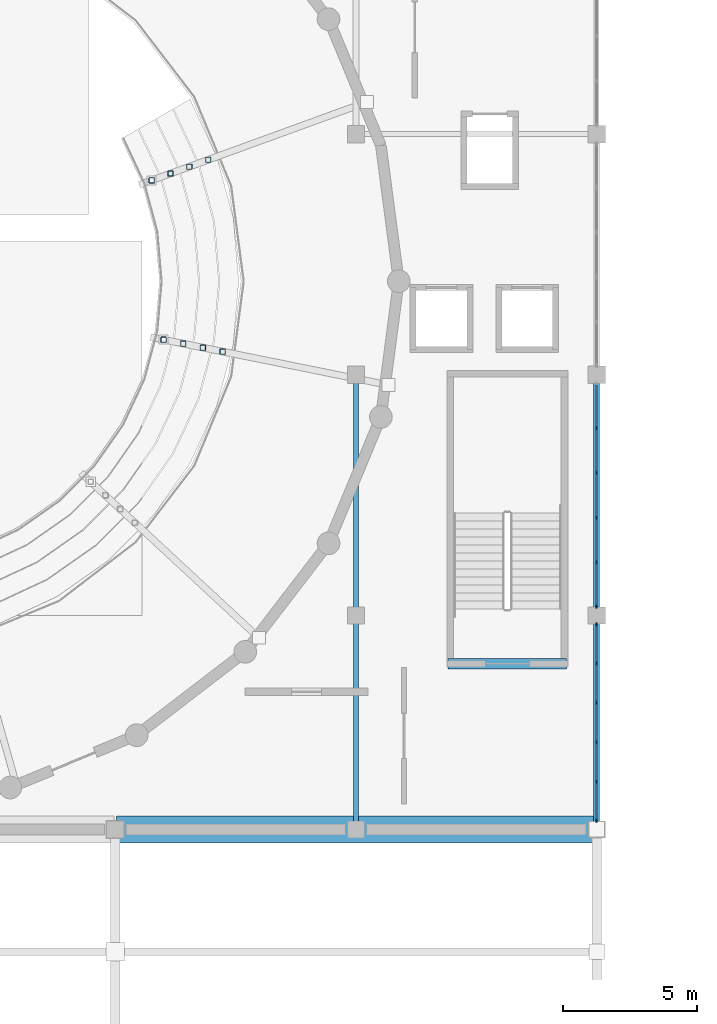
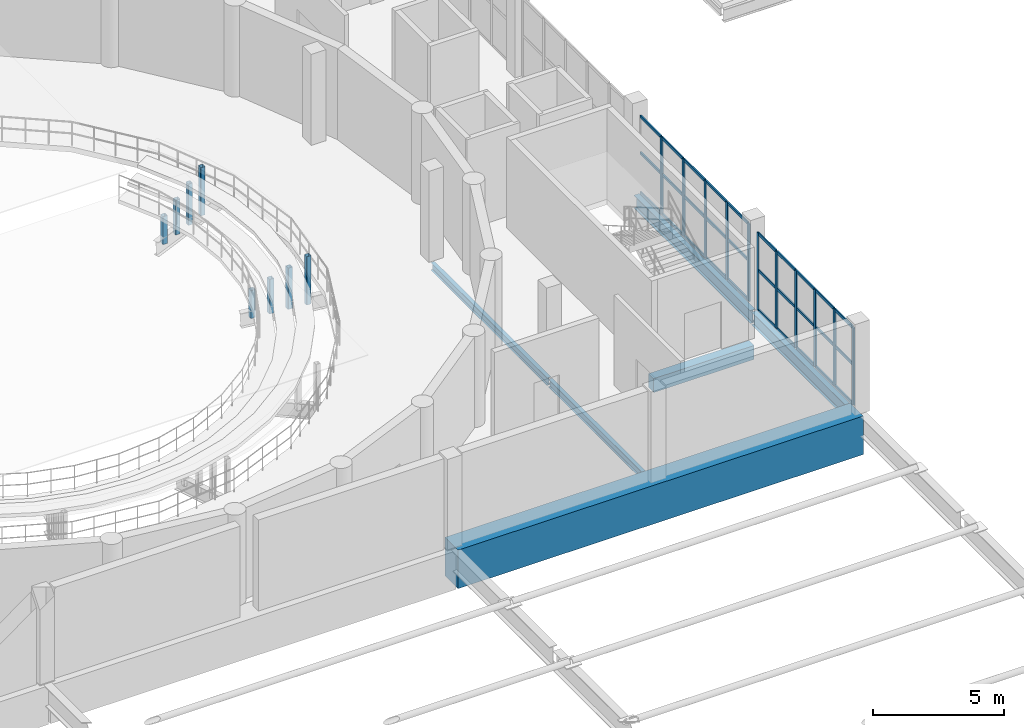
# One storey, part 20 of 54: 49 members, 6 beams, 2 elements without a shape of their own.
"""IFC4 building model written with IfcOpenShell, lengths in metres."""

from ifc_helpers import new_model, si_unit, direction, frame, origin, origin_2d, place, context, subcontext, project, spatial, rectangle, hollow_rectangle, i_section, extrude, material, layer, layer_set, material_profile, profile_set, type_object, element, aggregate, save


model = new_model("IFC4")

# Units and contexts
model_context = context("Model", 3, precision=1e-05, world=origin(), true_north=direction((0.0, 1.0)))
body_context = subcontext(model_context, "Body", "Model", "MODEL_VIEW")
ifc_project = project(units=[si_unit("LENGTHUNIT", "METRE"), si_unit("AREAUNIT", "SQUARE_METRE"), si_unit("VOLUMEUNIT", "CUBIC_METRE"), si_unit("PLANEANGLEUNIT", "RADIAN"), si_unit("MASSUNIT", "GRAM", prefix="KILO")], contexts=[model_context])

# Site, building, storey
site_placement = place(None, origin())
site = spatial("IfcSite", under=ifc_project, at=site_placement, CompositionType="ELEMENT")
building_placement = place(site_placement, origin())
building = spatial("IfcBuilding", under=site, at=building_placement, Name="Marnock Terrace Opera House", CompositionType="ELEMENT")
storey_placement = place(building_placement, frame((0.0, 0.0, 19.199951171875)))
storey = spatial("IfcBuildingStorey", under=building, at=storey_placement, Name="L04", CompositionType="ELEMENT", Elevation=19.199951171875)

# Beams
ifc_material_1 = material(Name="Steel Grade 350 (AS/NZS 3679.1)", Category="steel")
ifc_material_profile_1 = material_profile(ifc_material_1, i_section(OverallWidth=0.1708984375, OverallDepth=0.355712890625, WebThickness=0.00732421875, FlangeThickness=0.011474609375, FilletRadius=0.011474609375, at=origin_2d()))
ifc_profile_set_1 = profile_set([ifc_material_profile_1], Name="Steel Grade 350 (AS/NZS 3679.1)")
beam_type_1 = type_object("IfcBeamType", Name="BM-GIRD-360", PredefinedType="BEAM", material=ifc_profile_set_1)
beam_1_placement = place(storey_placement, frame((100.0, 40.050048828125, -0.427734375), z_axis=(0.0, 1.0, 0.0), x_axis=(-1.0, 0.0, 0.0)))
element("IfcBeam", 1, at=beam_1_placement, inside=storey, type_object=beam_type_1, Name="L04 girder (X=100.0, 40.0..48.0)", PredefinedType="BEAM", context=body_context, shape_type="SweptSolid", body=[
    extrude(i_section(OverallWidth=0.1708984375, OverallDepth=0.355712890625, WebThickness=0.00732421875, FlangeThickness=0.011474609375, FilletRadius=0.011474609375, at=origin_2d()), origin(), (0.0, 0.0, 1.0), 7.89990234375),
])
beam_2_placement = place(storey_placement, frame((100.0, 48.050048828125, -0.427734375), z_axis=(0.0, 1.0, 0.0), x_axis=(-1.0, 0.0, 0.0)))
element("IfcBeam", 2, at=beam_2_placement, inside=storey, type_object=beam_type_1, Name="L04 girder (X=100.0, 48.0..57.0)", PredefinedType="BEAM", context=body_context, shape_type="SweptSolid", body=[
    extrude(i_section(OverallWidth=0.1708984375, OverallDepth=0.355712890625, WebThickness=0.00732421875, FlangeThickness=0.011474609375, FilletRadius=0.011474609375, at=origin_2d()), origin(), (0.0, 0.0, 1.0), 8.89990234375),
])
ifc_material_profile_2 = material_profile(ifc_material_1, i_section(OverallWidth=0.22802734375, OverallDepth=0.60205078125, WebThickness=0.010498046875, FlangeThickness=0.014892578125, FilletRadius=0.013916015625, at=origin_2d()))
ifc_profile_set_2 = profile_set([ifc_material_profile_2], Name="Steel Grade 350 (AS/NZS 3679.1)")
beam_type_2 = type_object("IfcBeamType", Name="BM-GIRD-610C", PredefinedType="BEAM", material=ifc_profile_set_2)
beam_3_placement = place(storey_placement, frame((109.0, 40.050048828125, -0.551025390625), z_axis=(0.0, 1.0, 0.0), x_axis=(-1.0, 0.0, 0.0)))
element("IfcBeam", 3, at=beam_3_placement, inside=storey, type_object=beam_type_2, Name="L04 girder (X=109.0, 40.0..48.0)", PredefinedType="BEAM", context=body_context, shape_type="SweptSolid", body=[
    extrude(i_section(OverallWidth=0.22802734375, OverallDepth=0.60205078125, WebThickness=0.010498046875, FlangeThickness=0.014892578125, FilletRadius=0.013916015625, at=origin_2d()), origin(), (0.0, 0.0, 1.0), 7.89990234375),
])
beam_4_placement = place(storey_placement, frame((109.0, 48.050048828125, -0.551025390625), z_axis=(0.0, 1.0, 0.0), x_axis=(-1.0, 0.0, 0.0)))
element("IfcBeam", 4, at=beam_4_placement, inside=storey, type_object=beam_type_2, Name="L04 girder (X=109.0, 48.0..57.0)", PredefinedType="BEAM", context=body_context, shape_type="SweptSolid", body=[
    extrude(i_section(OverallWidth=0.22802734375, OverallDepth=0.60205078125, WebThickness=0.010498046875, FlangeThickness=0.014892578125, FilletRadius=0.013916015625, at=origin_2d()), origin(), (0.0, 0.0, 1.0), 8.89990234375),
])
ifc_material_2 = material(Name="Concrete N40 (f'c = 40 MPa)", Category="concrete")
ifc_material_profile_3 = material_profile(ifc_material_2, rectangle(XDim=0.39990234375, YDim=0.64990234375, at=origin_2d()))
ifc_profile_set_3 = profile_set([ifc_material_profile_3], Name="Concrete N40 (f'c = 40 MPa)")
beam_type_3 = type_object("IfcBeamType", Name="BM-LINT-RC400", PredefinedType="LINTEL", material=ifc_profile_set_3)
beam_5_placement = place(storey_placement, frame((103.43994140625, 46.199951171875, -0.599853515625), z_axis=(1.0, 0.0, 0.0), x_axis=(0.0, 1.0, 0.0)))
element("IfcBeam", 5, at=beam_5_placement, inside=storey, type_object=beam_type_3, Name="L03 Core C2 coupling lintel", PredefinedType="LINTEL", context=body_context, shape_type="SweptSolid", body=[
    extrude(rectangle(XDim=0.39990234375, YDim=0.64990234375, at=origin_2d()), origin(), (0.0, 0.0, 1.0), 4.43994140625),
])
ifc_material_3 = material(Name="Concrete N50 (f'c = 50 MPa)", Category="concrete")
ifc_material_profile_4 = material_profile(ifc_material_3, rectangle(XDim=1.0, YDim=1.800048828125, at=origin_2d()))
ifc_profile_set_4 = profile_set([ifc_material_profile_4], Name="Concrete N50 (f'c = 50 MPa)")
beam_type_4 = type_object("IfcBeamType", Name="BM-XFER-RC1000", PredefinedType="BEAM", material=ifc_profile_set_4)
beam_6_placement = place(storey_placement, frame((91.050048828125, 40.0, -0.89990234375), z_axis=(1.0, 0.0, 0.0), x_axis=(0.0, 1.0, 0.0)))
element("IfcBeam", 6, at=beam_6_placement, inside=storey, type_object=beam_type_4, Name="Barrel vault 3 north end transfer beam", PredefinedType="BEAM", context=body_context, shape_type="SweptSolid", body=[
    extrude(rectangle(XDim=1.0, YDim=1.800048828125, at=origin_2d()), origin(), (0.0, 0.0, 1.0), 17.89990234375),
])

# Curtain wall, members
ifc_material_4 = material(Name="Anodised architectural bronze aluminium framing", Category="aluminium")
ifc_layer = layer(ifc_material_4, 0.159912109375)
ifc_layer_set = layer_set([ifc_layer], Name="Anodised architectural bronze aluminium framing")
curtain_wall_type = type_object("IfcCurtainWallType", Name="CW-DRUM-71x39", PredefinedType="NOTDEFINED", material=ifc_layer_set)
curtain_wall_1_placement = place(storey_placement, origin())
curtain_wall_1 = element("IfcCurtainWall", 7, at=curtain_wall_1_placement, inside=storey, type_object=curtain_wall_type, Name="L04 glazed Beaux-Arts colonnade curtain wall CW-L04-V1E1", PredefinedType="NOTDEFINED")
ifc_material_profile_5 = material_profile(ifc_material_4, rectangle(XDim=0.06005859375, YDim=0.14990234375, at=origin_2d()))
ifc_profile_set_5 = profile_set([ifc_material_profile_5], Name="Anodised architectural bronze aluminium framing")
member_type_1 = type_object("IfcMemberType", Name="CWM-60x150", PredefinedType="MULLION", material=ifc_profile_set_5)
member_1_placement = place(storey_placement, frame((109.0, 40.35107421875, 0.0), z_axis=(0.0, 0.0, 1.0), x_axis=(-1.0, 0.0, 0.0)))
member_1 = element("IfcMember", 8, at=member_1_placement, type_object=member_type_1, Name="CW-76 mullion 1", PredefinedType="MULLION", context=body_context, shape_type="SweptSolid", body=[
    extrude(rectangle(XDim=0.06005859375, YDim=0.14990234375, at=origin_2d()), origin(), (0.0, 0.0, 1.0), 3.6181640625),
])
member_2_placement = place(storey_placement, frame((109.0, 41.79248046875, 0.0), z_axis=(0.0, 0.0, 1.0), x_axis=(-1.0, 0.0, 0.0)))
member_2 = element("IfcMember", 9, at=member_2_placement, type_object=member_type_1, Name="CW-76 mullion 2", PredefinedType="MULLION", context=body_context, shape_type="SweptSolid", body=[
    extrude(rectangle(XDim=0.06005859375, YDim=0.14990234375, at=origin_2d()), origin(), (0.0, 0.0, 1.0), 3.6181640625),
])
member_3_placement = place(storey_placement, frame((109.0, 43.26416015625, 0.0), z_axis=(0.0, 0.0, 1.0), x_axis=(-1.0, 0.0, 0.0)))
member_3 = element("IfcMember", 10, at=member_3_placement, type_object=member_type_1, Name="CW-76 mullion 3", PredefinedType="MULLION", context=body_context, shape_type="SweptSolid", body=[
    extrude(rectangle(XDim=0.06005859375, YDim=0.14990234375, at=origin_2d()), origin(), (0.0, 0.0, 1.0), 3.6181640625),
])
member_4_placement = place(storey_placement, frame((109.0, 44.73583984375, 0.0), z_axis=(0.0, 0.0, 1.0), x_axis=(-1.0, 0.0, 0.0)))
member_4 = element("IfcMember", 11, at=member_4_placement, type_object=member_type_1, Name="CW-76 mullion 4", PredefinedType="MULLION", context=body_context, shape_type="SweptSolid", body=[
    extrude(rectangle(XDim=0.06005859375, YDim=0.14990234375, at=origin_2d()), origin(), (0.0, 0.0, 1.0), 3.6181640625),
])
member_5_placement = place(storey_placement, frame((109.0, 46.20751953125, 0.0), z_axis=(0.0, 0.0, 1.0), x_axis=(-1.0, 0.0, 0.0)))
member_5 = element("IfcMember", 12, at=member_5_placement, type_object=member_type_1, Name="CW-76 mullion 5", PredefinedType="MULLION", context=body_context, shape_type="SweptSolid", body=[
    extrude(rectangle(XDim=0.06005859375, YDim=0.14990234375, at=origin_2d()), origin(), (0.0, 0.0, 1.0), 3.6181640625),
])
member_6_placement = place(storey_placement, frame((109.0, 47.64892578125, 0.0), z_axis=(0.0, 0.0, 1.0), x_axis=(-1.0, 0.0, 0.0)))
member_6 = element("IfcMember", 13, at=member_6_placement, type_object=member_type_1, Name="CW-76 mullion 6", PredefinedType="MULLION", context=body_context, shape_type="SweptSolid", body=[
    extrude(rectangle(XDim=0.06005859375, YDim=0.14990234375, at=origin_2d()), origin(), (0.0, 0.0, 1.0), 3.6181640625),
])

curtain_wall_2_placement = place(storey_placement, origin())
curtain_wall_2 = element("IfcCurtainWall", 14, at=curtain_wall_2_placement, inside=storey, type_object=curtain_wall_type, Name="L04 glazed Beaux-Arts colonnade curtain wall CW-L04-V1E2", PredefinedType="NOTDEFINED")
member_7_placement = place(storey_placement, frame((109.0, 48.35107421875, 0.0), z_axis=(0.0, 0.0, 1.0), x_axis=(-1.0, 0.0, 0.0)))
member_7 = element("IfcMember", 15, at=member_7_placement, type_object=member_type_1, Name="CW-76 mullion 1", PredefinedType="MULLION", context=body_context, shape_type="SweptSolid", body=[
    extrude(rectangle(XDim=0.06005859375, YDim=0.14990234375, at=origin_2d()), origin(), (0.0, 0.0, 1.0), 3.6181640625),
])
member_8_placement = place(storey_placement, frame((109.0, 49.99267578125, 0.0), z_axis=(0.0, 0.0, 1.0), x_axis=(-1.0, 0.0, 0.0)))
member_8 = element("IfcMember", 16, at=member_8_placement, type_object=member_type_1, Name="CW-76 mullion 2", PredefinedType="MULLION", context=body_context, shape_type="SweptSolid", body=[
    extrude(rectangle(XDim=0.06005859375, YDim=0.14990234375, at=origin_2d()), origin(), (0.0, 0.0, 1.0), 3.6181640625),
])
member_9_placement = place(storey_placement, frame((109.0, 51.664306640625, 0.0), z_axis=(0.0, 0.0, 1.0), x_axis=(-1.0, 0.0, 0.0)))
member_9 = element("IfcMember", 17, at=member_9_placement, type_object=member_type_1, Name="CW-76 mullion 3", PredefinedType="MULLION", context=body_context, shape_type="SweptSolid", body=[
    extrude(rectangle(XDim=0.06005859375, YDim=0.14990234375, at=origin_2d()), origin(), (0.0, 0.0, 1.0), 3.6181640625),
])
member_10_placement = place(storey_placement, frame((109.0, 53.335693359375, 0.0), z_axis=(0.0, 0.0, 1.0), x_axis=(-1.0, 0.0, 0.0)))
member_10 = element("IfcMember", 18, at=member_10_placement, type_object=member_type_1, Name="CW-76 mullion 4", PredefinedType="MULLION", context=body_context, shape_type="SweptSolid", body=[
    extrude(rectangle(XDim=0.06005859375, YDim=0.14990234375, at=origin_2d()), origin(), (0.0, 0.0, 1.0), 3.6181640625),
])
member_11_placement = place(storey_placement, frame((109.0, 55.00732421875, 0.0), z_axis=(0.0, 0.0, 1.0), x_axis=(-1.0, 0.0, 0.0)))
member_11 = element("IfcMember", 19, at=member_11_placement, type_object=member_type_1, Name="CW-76 mullion 5", PredefinedType="MULLION", context=body_context, shape_type="SweptSolid", body=[
    extrude(rectangle(XDim=0.06005859375, YDim=0.14990234375, at=origin_2d()), origin(), (0.0, 0.0, 1.0), 3.6181640625),
])

# Member
ifc_material_profile_6 = material_profile(ifc_material_4, rectangle(XDim=0.06005859375, YDim=0.1298828125, at=origin_2d()))
ifc_profile_set_6 = profile_set([ifc_material_profile_6], Name="Anodised architectural bronze aluminium framing")
member_type_2 = type_object("IfcMemberType", Name="CWT-60x130", PredefinedType="USERDEFINED", material=ifc_profile_set_6)
member_12_placement = place(storey_placement, frame((109.0, 40.381103515625, 0.030029296875), z_axis=(0.0, 1.0, 0.0), x_axis=(-1.0, 0.0, 0.0)))
member_12 = element("IfcMember", 20, at=member_12_placement, type_object=member_type_2, Name="CW-76 transom 1.1", ObjectType="TRANSOM", PredefinedType="USERDEFINED", context=body_context, shape_type="SweptSolid", body=[
    extrude(rectangle(XDim=0.06005859375, YDim=0.1298828125, at=origin_2d()), origin(), (0.0, 0.0, 1.0), 1.381591796875),
])

member_13_placement = place(storey_placement, frame((109.0, 40.381103515625, 1.88134765625), z_axis=(0.0, 1.0, 0.0), x_axis=(-1.0, 0.0, 0.0)))
member_13 = element("IfcMember", 21, at=member_13_placement, type_object=member_type_2, Name="CW-76 transom 1.2", ObjectType="TRANSOM", PredefinedType="USERDEFINED", context=body_context, shape_type="SweptSolid", body=[
    extrude(rectangle(XDim=0.06005859375, YDim=0.1298828125, at=origin_2d()), origin(), (0.0, 0.0, 1.0), 1.381591796875),
])

member_14_placement = place(storey_placement, frame((109.0, 40.381103515625, 3.588134765625), z_axis=(0.0, 1.0, 0.0), x_axis=(-1.0, 0.0, 0.0)))
member_14 = element("IfcMember", 22, at=member_14_placement, type_object=member_type_2, Name="CW-76 transom 1.3", ObjectType="TRANSOM", PredefinedType="USERDEFINED", context=body_context, shape_type="SweptSolid", body=[
    extrude(rectangle(XDim=0.06005859375, YDim=0.1298828125, at=origin_2d()), origin(), (0.0, 0.0, 1.0), 1.381591796875),
])

member_15_placement = place(storey_placement, frame((109.0, 41.822509765625, 0.030029296875), z_axis=(0.0, 1.0, 0.0), x_axis=(-1.0, 0.0, 0.0)))
member_15 = element("IfcMember", 23, at=member_15_placement, type_object=member_type_2, Name="CW-76 transom 2.1", ObjectType="TRANSOM", PredefinedType="USERDEFINED", context=body_context, shape_type="SweptSolid", body=[
    extrude(rectangle(XDim=0.06005859375, YDim=0.1298828125, at=origin_2d()), origin(), (0.0, 0.0, 1.0), 1.41162109375),
])

member_16_placement = place(storey_placement, frame((109.0, 41.822509765625, 1.88134765625), z_axis=(0.0, 1.0, 0.0), x_axis=(-1.0, 0.0, 0.0)))
member_16 = element("IfcMember", 24, at=member_16_placement, type_object=member_type_2, Name="CW-76 transom 2.2", ObjectType="TRANSOM", PredefinedType="USERDEFINED", context=body_context, shape_type="SweptSolid", body=[
    extrude(rectangle(XDim=0.06005859375, YDim=0.1298828125, at=origin_2d()), origin(), (0.0, 0.0, 1.0), 1.41162109375),
])

member_17_placement = place(storey_placement, frame((109.0, 41.822509765625, 3.588134765625), z_axis=(0.0, 1.0, 0.0), x_axis=(-1.0, 0.0, 0.0)))
member_17 = element("IfcMember", 25, at=member_17_placement, type_object=member_type_2, Name="CW-76 transom 2.3", ObjectType="TRANSOM", PredefinedType="USERDEFINED", context=body_context, shape_type="SweptSolid", body=[
    extrude(rectangle(XDim=0.06005859375, YDim=0.1298828125, at=origin_2d()), origin(), (0.0, 0.0, 1.0), 1.41162109375),
])

member_18_placement = place(storey_placement, frame((109.0, 43.294189453125, 0.030029296875), z_axis=(0.0, 1.0, 0.0), x_axis=(-1.0, 0.0, 0.0)))
member_18 = element("IfcMember", 26, at=member_18_placement, type_object=member_type_2, Name="CW-76 transom 3.1", ObjectType="TRANSOM", PredefinedType="USERDEFINED", context=body_context, shape_type="SweptSolid", body=[
    extrude(rectangle(XDim=0.06005859375, YDim=0.1298828125, at=origin_2d()), origin(), (0.0, 0.0, 1.0), 1.41162109375),
])

member_19_placement = place(storey_placement, frame((109.0, 43.294189453125, 1.88134765625), z_axis=(0.0, 1.0, 0.0), x_axis=(-1.0, 0.0, 0.0)))
member_19 = element("IfcMember", 27, at=member_19_placement, type_object=member_type_2, Name="CW-76 transom 3.2", ObjectType="TRANSOM", PredefinedType="USERDEFINED", context=body_context, shape_type="SweptSolid", body=[
    extrude(rectangle(XDim=0.06005859375, YDim=0.1298828125, at=origin_2d()), origin(), (0.0, 0.0, 1.0), 1.41162109375),
])

member_20_placement = place(storey_placement, frame((109.0, 43.294189453125, 3.588134765625), z_axis=(0.0, 1.0, 0.0), x_axis=(-1.0, 0.0, 0.0)))
member_20 = element("IfcMember", 28, at=member_20_placement, type_object=member_type_2, Name="CW-76 transom 3.3", ObjectType="TRANSOM", PredefinedType="USERDEFINED", context=body_context, shape_type="SweptSolid", body=[
    extrude(rectangle(XDim=0.06005859375, YDim=0.1298828125, at=origin_2d()), origin(), (0.0, 0.0, 1.0), 1.41162109375),
])

member_21_placement = place(storey_placement, frame((109.0, 44.765869140625, 0.030029296875), z_axis=(0.0, 1.0, 0.0), x_axis=(-1.0, 0.0, 0.0)))
member_21 = element("IfcMember", 29, at=member_21_placement, type_object=member_type_2, Name="CW-76 transom 4.1", ObjectType="TRANSOM", PredefinedType="USERDEFINED", context=body_context, shape_type="SweptSolid", body=[
    extrude(rectangle(XDim=0.06005859375, YDim=0.1298828125, at=origin_2d()), origin(), (0.0, 0.0, 1.0), 1.41162109375),
])

member_22_placement = place(storey_placement, frame((109.0, 44.765869140625, 1.88134765625), z_axis=(0.0, 1.0, 0.0), x_axis=(-1.0, 0.0, 0.0)))
member_22 = element("IfcMember", 30, at=member_22_placement, type_object=member_type_2, Name="CW-76 transom 4.2", ObjectType="TRANSOM", PredefinedType="USERDEFINED", context=body_context, shape_type="SweptSolid", body=[
    extrude(rectangle(XDim=0.06005859375, YDim=0.1298828125, at=origin_2d()), origin(), (0.0, 0.0, 1.0), 1.41162109375),
])

member_23_placement = place(storey_placement, frame((109.0, 44.765869140625, 3.588134765625), z_axis=(0.0, 1.0, 0.0), x_axis=(-1.0, 0.0, 0.0)))
member_23 = element("IfcMember", 31, at=member_23_placement, type_object=member_type_2, Name="CW-76 transom 4.3", ObjectType="TRANSOM", PredefinedType="USERDEFINED", context=body_context, shape_type="SweptSolid", body=[
    extrude(rectangle(XDim=0.06005859375, YDim=0.1298828125, at=origin_2d()), origin(), (0.0, 0.0, 1.0), 1.41162109375),
])

member_24_placement = place(storey_placement, frame((109.0, 46.2373046875, 0.030029296875), z_axis=(0.0, 1.0, 0.0), x_axis=(-1.0, 0.0, 0.0)))
member_24 = element("IfcMember", 32, at=member_24_placement, type_object=member_type_2, Name="CW-76 transom 5.1", ObjectType="TRANSOM", PredefinedType="USERDEFINED", context=body_context, shape_type="SweptSolid", body=[
    extrude(rectangle(XDim=0.06005859375, YDim=0.1298828125, at=origin_2d()), origin(), (0.0, 0.0, 1.0), 1.381591796875),
])

member_25_placement = place(storey_placement, frame((109.0, 46.2373046875, 1.88134765625), z_axis=(0.0, 1.0, 0.0), x_axis=(-1.0, 0.0, 0.0)))
member_25 = element("IfcMember", 33, at=member_25_placement, type_object=member_type_2, Name="CW-76 transom 5.2", ObjectType="TRANSOM", PredefinedType="USERDEFINED", context=body_context, shape_type="SweptSolid", body=[
    extrude(rectangle(XDim=0.06005859375, YDim=0.1298828125, at=origin_2d()), origin(), (0.0, 0.0, 1.0), 1.381591796875),
])

member_26_placement = place(storey_placement, frame((109.0, 46.2373046875, 3.588134765625), z_axis=(0.0, 1.0, 0.0), x_axis=(-1.0, 0.0, 0.0)))
member_26 = element("IfcMember", 34, at=member_26_placement, type_object=member_type_2, Name="CW-76 transom 5.3", ObjectType="TRANSOM", PredefinedType="USERDEFINED", context=body_context, shape_type="SweptSolid", body=[
    extrude(rectangle(XDim=0.06005859375, YDim=0.1298828125, at=origin_2d()), origin(), (0.0, 0.0, 1.0), 1.381591796875),
])

aggregate(curtain_wall_1, [member_1, member_2, member_3, member_4, member_5, member_6, member_12, member_13, member_14, member_15, member_16, member_17, member_18, member_19, member_20, member_21, member_22, member_23, member_24, member_25, member_26])

member_27_placement = place(storey_placement, frame((109.0, 48.381103515625, 0.030029296875), z_axis=(0.0, 1.0, 0.0), x_axis=(-1.0, 0.0, 0.0)))
member_27 = element("IfcMember", 35, at=member_27_placement, type_object=member_type_2, Name="CW-76 transom 1.1", ObjectType="TRANSOM", PredefinedType="USERDEFINED", context=body_context, shape_type="SweptSolid", body=[
    extrude(rectangle(XDim=0.06005859375, YDim=0.1298828125, at=origin_2d()), origin(), (0.0, 0.0, 1.0), 1.58154296875),
])

member_28_placement = place(storey_placement, frame((109.0, 48.381103515625, 1.88134765625), z_axis=(0.0, 1.0, 0.0), x_axis=(-1.0, 0.0, 0.0)))
member_28 = element("IfcMember", 36, at=member_28_placement, type_object=member_type_2, Name="CW-76 transom 1.2", ObjectType="TRANSOM", PredefinedType="USERDEFINED", context=body_context, shape_type="SweptSolid", body=[
    extrude(rectangle(XDim=0.06005859375, YDim=0.1298828125, at=origin_2d()), origin(), (0.0, 0.0, 1.0), 1.58154296875),
])

member_29_placement = place(storey_placement, frame((109.0, 48.381103515625, 3.588134765625), z_axis=(0.0, 1.0, 0.0), x_axis=(-1.0, 0.0, 0.0)))
member_29 = element("IfcMember", 37, at=member_29_placement, type_object=member_type_2, Name="CW-76 transom 1.3", ObjectType="TRANSOM", PredefinedType="USERDEFINED", context=body_context, shape_type="SweptSolid", body=[
    extrude(rectangle(XDim=0.06005859375, YDim=0.1298828125, at=origin_2d()), origin(), (0.0, 0.0, 1.0), 1.58154296875),
])

member_30_placement = place(storey_placement, frame((109.0, 50.022705078125, 0.030029296875), z_axis=(0.0, 1.0, 0.0), x_axis=(-1.0, 0.0, 0.0)))
member_30 = element("IfcMember", 38, at=member_30_placement, type_object=member_type_2, Name="CW-76 transom 2.1", ObjectType="TRANSOM", PredefinedType="USERDEFINED", context=body_context, shape_type="SweptSolid", body=[
    extrude(rectangle(XDim=0.06005859375, YDim=0.1298828125, at=origin_2d()), origin(), (0.0, 0.0, 1.0), 1.611572265625),
])

member_31_placement = place(storey_placement, frame((109.0, 50.022705078125, 1.88134765625), z_axis=(0.0, 1.0, 0.0), x_axis=(-1.0, 0.0, 0.0)))
member_31 = element("IfcMember", 39, at=member_31_placement, type_object=member_type_2, Name="CW-76 transom 2.2", ObjectType="TRANSOM", PredefinedType="USERDEFINED", context=body_context, shape_type="SweptSolid", body=[
    extrude(rectangle(XDim=0.06005859375, YDim=0.1298828125, at=origin_2d()), origin(), (0.0, 0.0, 1.0), 1.611572265625),
])

member_32_placement = place(storey_placement, frame((109.0, 50.022705078125, 3.588134765625), z_axis=(0.0, 1.0, 0.0), x_axis=(-1.0, 0.0, 0.0)))
member_32 = element("IfcMember", 40, at=member_32_placement, type_object=member_type_2, Name="CW-76 transom 2.3", ObjectType="TRANSOM", PredefinedType="USERDEFINED", context=body_context, shape_type="SweptSolid", body=[
    extrude(rectangle(XDim=0.06005859375, YDim=0.1298828125, at=origin_2d()), origin(), (0.0, 0.0, 1.0), 1.611572265625),
])

member_33_placement = place(storey_placement, frame((109.0, 51.694091796875, 0.030029296875), z_axis=(0.0, 1.0, 0.0), x_axis=(-1.0, 0.0, 0.0)))
member_33 = element("IfcMember", 41, at=member_33_placement, type_object=member_type_2, Name="CW-76 transom 3.1", ObjectType="TRANSOM", PredefinedType="USERDEFINED", context=body_context, shape_type="SweptSolid", body=[
    extrude(rectangle(XDim=0.06005859375, YDim=0.1298828125, at=origin_2d()), origin(), (0.0, 0.0, 1.0), 1.61181640625),
])

member_34_placement = place(storey_placement, frame((109.0, 51.694091796875, 1.88134765625), z_axis=(0.0, 1.0, 0.0), x_axis=(-1.0, 0.0, 0.0)))
member_34 = element("IfcMember", 42, at=member_34_placement, type_object=member_type_2, Name="CW-76 transom 3.2", ObjectType="TRANSOM", PredefinedType="USERDEFINED", context=body_context, shape_type="SweptSolid", body=[
    extrude(rectangle(XDim=0.06005859375, YDim=0.1298828125, at=origin_2d()), origin(), (0.0, 0.0, 1.0), 1.61181640625),
])

member_35_placement = place(storey_placement, frame((109.0, 51.694091796875, 3.588134765625), z_axis=(0.0, 1.0, 0.0), x_axis=(-1.0, 0.0, 0.0)))
member_35 = element("IfcMember", 43, at=member_35_placement, type_object=member_type_2, Name="CW-76 transom 3.3", ObjectType="TRANSOM", PredefinedType="USERDEFINED", context=body_context, shape_type="SweptSolid", body=[
    extrude(rectangle(XDim=0.06005859375, YDim=0.1298828125, at=origin_2d()), origin(), (0.0, 0.0, 1.0), 1.61181640625),
])

member_36_placement = place(storey_placement, frame((109.0, 53.36572265625, 0.030029296875), z_axis=(0.0, 1.0, 0.0), x_axis=(-1.0, 0.0, 0.0)))
member_36 = element("IfcMember", 44, at=member_36_placement, type_object=member_type_2, Name="CW-76 transom 4.1", ObjectType="TRANSOM", PredefinedType="USERDEFINED", context=body_context, shape_type="SweptSolid", body=[
    extrude(rectangle(XDim=0.06005859375, YDim=0.1298828125, at=origin_2d()), origin(), (0.0, 0.0, 1.0), 1.611572265625),
])

member_37_placement = place(storey_placement, frame((109.0, 53.36572265625, 1.88134765625), z_axis=(0.0, 1.0, 0.0), x_axis=(-1.0, 0.0, 0.0)))
member_37 = element("IfcMember", 45, at=member_37_placement, type_object=member_type_2, Name="CW-76 transom 4.2", ObjectType="TRANSOM", PredefinedType="USERDEFINED", context=body_context, shape_type="SweptSolid", body=[
    extrude(rectangle(XDim=0.06005859375, YDim=0.1298828125, at=origin_2d()), origin(), (0.0, 0.0, 1.0), 1.611572265625),
])

member_38_placement = place(storey_placement, frame((109.0, 53.36572265625, 3.588134765625), z_axis=(0.0, 1.0, 0.0), x_axis=(-1.0, 0.0, 0.0)))
member_38 = element("IfcMember", 46, at=member_38_placement, type_object=member_type_2, Name="CW-76 transom 4.3", ObjectType="TRANSOM", PredefinedType="USERDEFINED", context=body_context, shape_type="SweptSolid", body=[
    extrude(rectangle(XDim=0.06005859375, YDim=0.1298828125, at=origin_2d()), origin(), (0.0, 0.0, 1.0), 1.611572265625),
])

member_39_placement = place(storey_placement, frame((109.0, 55.037353515625, 0.030029296875), z_axis=(0.0, 1.0, 0.0), x_axis=(-1.0, 0.0, 0.0)))
member_39 = element("IfcMember", 47, at=member_39_placement, type_object=member_type_2, Name="CW-76 transom 5.1", ObjectType="TRANSOM", PredefinedType="USERDEFINED", context=body_context, shape_type="SweptSolid", body=[
    extrude(rectangle(XDim=0.06005859375, YDim=0.1298828125, at=origin_2d()), origin(), (0.0, 0.0, 1.0), 1.58154296875),
])

member_40_placement = place(storey_placement, frame((109.0, 55.037353515625, 1.88134765625), z_axis=(0.0, 1.0, 0.0), x_axis=(-1.0, 0.0, 0.0)))
member_40 = element("IfcMember", 48, at=member_40_placement, type_object=member_type_2, Name="CW-76 transom 5.2", ObjectType="TRANSOM", PredefinedType="USERDEFINED", context=body_context, shape_type="SweptSolid", body=[
    extrude(rectangle(XDim=0.06005859375, YDim=0.1298828125, at=origin_2d()), origin(), (0.0, 0.0, 1.0), 1.58154296875),
])

member_41_placement = place(storey_placement, frame((109.0, 55.037353515625, 3.588134765625), z_axis=(0.0, 1.0, 0.0), x_axis=(-1.0, 0.0, 0.0)))
member_41 = element("IfcMember", 49, at=member_41_placement, type_object=member_type_2, Name="CW-76 transom 5.3", ObjectType="TRANSOM", PredefinedType="USERDEFINED", context=body_context, shape_type="SweptSolid", body=[
    extrude(rectangle(XDim=0.06005859375, YDim=0.1298828125, at=origin_2d()), origin(), (0.0, 0.0, 1.0), 1.58154296875),
])

aggregate(curtain_wall_2, [member_7, member_8, member_9, member_10, member_11, member_27, member_28, member_29, member_30, member_31, member_32, member_33, member_34, member_35, member_36, member_37, member_38, member_39, member_40, member_41])

# Members
ifc_material_5 = material(Name="Cold-formed Steel Grade C350L0 (AS/NZS 1163)", Category="steel")
ifc_material_profile_7 = material_profile(ifc_material_5, hollow_rectangle(XDim=0.199951171875, YDim=0.199951171875, WallThickness=0.009033203125, InnerFilletRadius=0.009033203125, OuterFilletRadius=0.01806640625, at=origin_2d()))
ifc_profile_set_7 = profile_set([ifc_material_profile_7], Name="Cold-formed Steel Grade C350L0 (AS/NZS 1163)")
member_type_3 = type_object("IfcMemberType", Name="MEM-TRUSS-WEB2", PredefinedType="BRACE", material=ifc_profile_set_7)
member_42_placement = place(storey_placement, frame((92.806396484375, 58.3154296875, -1.123046875), z_axis=(0.0, 0.0, 1.0), x_axis=(1.0, 0.0, 0.0)))
element("IfcMember", 50, at=member_42_placement, inside=storey, type_object=member_type_3, Name="L04 Auditorium tier support post 7.1", PredefinedType="BRACE", context=body_context, shape_type="SweptSolid", body=[
    extrude(hollow_rectangle(XDim=0.199951171875, YDim=0.199951171875, WallThickness=0.009033203125, InnerFilletRadius=0.009033203125, OuterFilletRadius=0.01806640625, at=origin_2d()), origin(), (0.0, 0.0, 1.0), 1.298095703125),
])
member_43_placement = place(storey_placement, frame((93.54150390625, 58.166748046875, -1.0810546875), z_axis=(0.0, 0.0, 1.0), x_axis=(1.0, 0.0, 0.0)))
element("IfcMember", 51, at=member_43_placement, inside=storey, type_object=member_type_3, Name="L04 Auditorium tier support post 7.2", PredefinedType="BRACE", context=body_context, shape_type="SweptSolid", body=[
    extrude(hollow_rectangle(XDim=0.199951171875, YDim=0.199951171875, WallThickness=0.009033203125, InnerFilletRadius=0.009033203125, OuterFilletRadius=0.01806640625, at=origin_2d()), origin(), (0.0, 0.0, 1.0), 1.6162109375),
])
member_44_placement = place(storey_placement, frame((94.276611328125, 58.018310546875, -1.03857421875), z_axis=(0.0, 0.0, 1.0), x_axis=(1.0, 0.0, 0.0)))
element("IfcMember", 52, at=member_44_placement, inside=storey, type_object=member_type_3, Name="L04 Auditorium tier support post 7.3", PredefinedType="BRACE", context=body_context, shape_type="SweptSolid", body=[
    extrude(hollow_rectangle(XDim=0.199951171875, YDim=0.199951171875, WallThickness=0.009033203125, InnerFilletRadius=0.009033203125, OuterFilletRadius=0.01806640625, at=origin_2d()), origin(), (0.0, 0.0, 1.0), 1.93359375),
])
member_45_placement = place(storey_placement, frame((95.01171875, 57.86962890625, -0.996337890625), z_axis=(0.0, 0.0, 1.0), x_axis=(1.0, 0.0, 0.0)))
element("IfcMember", 53, at=member_45_placement, inside=storey, type_object=member_type_3, Name="L04 Auditorium tier support post 7.4", PredefinedType="BRACE", context=body_context, shape_type="SweptSolid", body=[
    extrude(hollow_rectangle(XDim=0.199951171875, YDim=0.199951171875, WallThickness=0.009033203125, InnerFilletRadius=0.009033203125, OuterFilletRadius=0.01806640625, at=origin_2d()), origin(), (0.0, 0.0, 1.0), 2.25146484375),
])
member_46_placement = place(storey_placement, frame((92.360107421875, 64.270751953125, -1.123046875), z_axis=(0.0, 0.0, 1.0), x_axis=(1.0, 0.0, 0.0)))
element("IfcMember", 54, at=member_46_placement, inside=storey, type_object=member_type_3, Name="L04 Auditorium tier support post 8.1", PredefinedType="BRACE", context=body_context, shape_type="SweptSolid", body=[
    extrude(hollow_rectangle(XDim=0.199951171875, YDim=0.199951171875, WallThickness=0.009033203125, InnerFilletRadius=0.009033203125, OuterFilletRadius=0.01806640625, at=origin_2d()), origin(), (0.0, 0.0, 1.0), 1.298095703125),
])
member_47_placement = place(storey_placement, frame((93.06494140625, 64.52734375, -1.0810546875), z_axis=(0.0, 0.0, 1.0), x_axis=(1.0, 0.0, 0.0)))
element("IfcMember", 55, at=member_47_placement, inside=storey, type_object=member_type_3, Name="L04 Auditorium tier support post 8.2", PredefinedType="BRACE", context=body_context, shape_type="SweptSolid", body=[
    extrude(hollow_rectangle(XDim=0.199951171875, YDim=0.199951171875, WallThickness=0.009033203125, InnerFilletRadius=0.009033203125, OuterFilletRadius=0.01806640625, at=origin_2d()), origin(), (0.0, 0.0, 1.0), 1.6162109375),
])
member_48_placement = place(storey_placement, frame((93.769775390625, 64.78369140625, -1.03857421875), z_axis=(0.0, 0.0, 1.0), x_axis=(1.0, 0.0, 0.0)))
element("IfcMember", 56, at=member_48_placement, inside=storey, type_object=member_type_3, Name="L04 Auditorium tier support post 8.3", PredefinedType="BRACE", context=body_context, shape_type="SweptSolid", body=[
    extrude(hollow_rectangle(XDim=0.199951171875, YDim=0.199951171875, WallThickness=0.009033203125, InnerFilletRadius=0.009033203125, OuterFilletRadius=0.01806640625, at=origin_2d()), origin(), (0.0, 0.0, 1.0), 1.93359375),
])
member_49_placement = place(storey_placement, frame((94.474365234375, 65.040283203125, -0.996337890625), z_axis=(0.0, 0.0, 1.0), x_axis=(1.0, 0.0, 0.0)))
element("IfcMember", 57, at=member_49_placement, inside=storey, type_object=member_type_3, Name="L04 Auditorium tier support post 8.4", PredefinedType="BRACE", context=body_context, shape_type="SweptSolid", body=[
    extrude(hollow_rectangle(XDim=0.199951171875, YDim=0.199951171875, WallThickness=0.009033203125, InnerFilletRadius=0.009033203125, OuterFilletRadius=0.01806640625, at=origin_2d()), origin(), (0.0, 0.0, 1.0), 2.25146484375),
])

save(model, "model.ifc")
